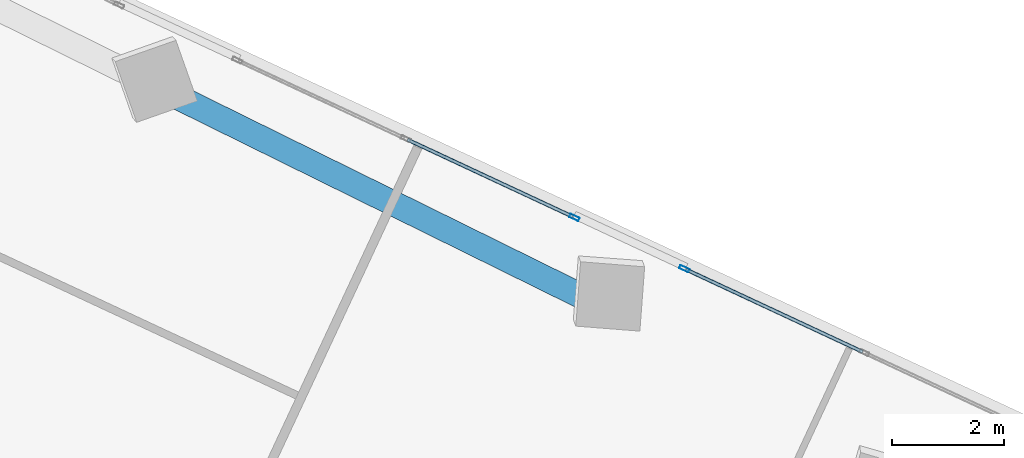
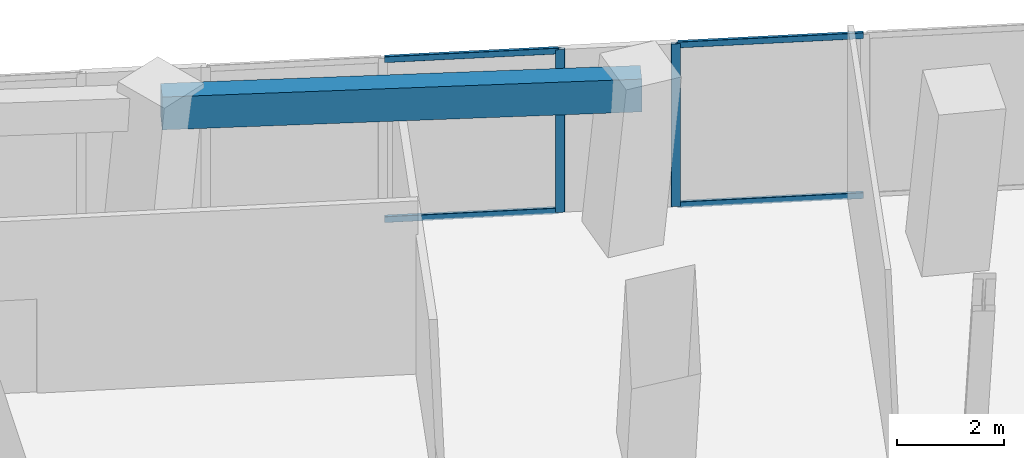
# One storey, part 9 of 23: 6 members, 1 beam, 2 elements without a shape of their own.
"""IFC4 building model written with IfcOpenShell, lengths in metres."""

from ifc_helpers import new_model, si_unit, direction, frame, origin, origin_2d, place, context, subcontext, project, spatial, rectangle, hollow_rectangle, extrude, source, transform, mapped, material, material_profile, profile_set, type_object, element, aggregate, save


model = new_model("IFC4")

# Units and contexts
model_context = context("Model", 3, precision=1e-05, world=origin(), true_north=direction((0.0, 1.0)))
body_context = subcontext(model_context, "Body", "Model", "MODEL_VIEW")
ifc_project = project(units=[si_unit("LENGTHUNIT", "METRE"), si_unit("AREAUNIT", "SQUARE_METRE"), si_unit("VOLUMEUNIT", "CUBIC_METRE"), si_unit("PLANEANGLEUNIT", "RADIAN"), si_unit("MASSUNIT", "GRAM", prefix="KILO")], contexts=[model_context])

# Site, building, storey
site_placement = place(None, origin())
site = spatial("IfcSite", under=ifc_project, at=site_placement, CompositionType="ELEMENT")
building_placement = place(site_placement, origin())
building = spatial("IfcBuilding", under=site, at=building_placement, Name="Torre Montelarca", CompositionType="ELEMENT")
storey_placement = place(building_placement, frame((0.0, 0.0, 158.199951171875)))
storey = spatial("IfcBuildingStorey", under=building, at=storey_placement, Name="L35", CompositionType="ELEMENT", Elevation=158.199951171875)

# Beam
ifc_material_1 = material(Name="Concrete C55/67", Category="concrete")
ifc_material_profile_1 = material_profile(ifc_material_1, rectangle(XDim=0.449951171875, YDim=0.75, at=origin_2d()), Name="RCB450X750", Category="concrete")
ifc_profile_set_1 = profile_set([ifc_material_profile_1], Name="Concrete C55/67")
beam_type = type_object("IfcBeamType", Name="BM-SP-RC750-EXT", PredefinedType="SPANDREL", material=ifc_profile_set_1)
shared_shape_1 = source(origin(), body_context, "Body", "SweptSolid", [
    extrude(rectangle(XDim=0.449951171875, YDim=0.75, at=origin_2d()), origin(), (0.0, 0.0, 1.0), 9.0),
])
beam_placement = place(storey_placement, frame((33.133544921875, 43.155029296875, 3.5849609375), z_axis=(0.896866006126, -0.44230234801, 0.0), x_axis=(0.44230234801, 0.896866006126, 0.0)))
element("IfcBeam", 1, at=beam_placement, inside=storey, type_object=beam_type, Name="L35 Grid Girder X 27.0-36.0 at Y=47.1", PredefinedType="SPANDREL", context=body_context, shape_type="MappedRepresentation", body=[
    mapped(shared_shape_1, transform((0.0, 0.0, 0.0), scale=1.0)),
])

# Curtain wall, member
ifc_material_2 = material(Name="Insulated low-E laminated glass", Category="glass")
curtain_wall_type = type_object("IfcCurtainWallType", Name="CW-SYS-Z2", PredefinedType="USERDEFINED", material=ifc_material_2)
curtain_wall_1_placement = place(storey_placement, origin())
curtain_wall_1 = element("IfcCurtainWall", 2, at=curtain_wall_1_placement, inside=storey, type_object=curtain_wall_type, Name="L35 Curtain Wall Run CW-T3-L35-E08-B1", ObjectType="UNITISED GLAZING", PredefinedType="USERDEFINED")
ifc_material_3 = material(Name="Anodised aluminium AA 6063-T6", Category="aluminium")
ifc_material_profile_2 = material_profile(ifc_material_3, hollow_rectangle(XDim=0.06494140625, YDim=0.179931640625, WallThickness=0.00390625, InnerFilletRadius=0.00390625, OuterFilletRadius=0.008056640625, at=origin_2d()), Name="ALU65X180X4", Category="aluminium")
ifc_profile_set_2 = profile_set([ifc_material_profile_2], Name="Anodised aluminium AA 6063-T6")
member_type_1 = type_object("IfcMemberType", Name="CWM-ALU180", PredefinedType="MULLION", material=ifc_profile_set_2)
shared_shape_2 = source(origin(), body_context, "Body", "SweptSolid", [
    extrude(hollow_rectangle(XDim=0.06494140625, YDim=0.179931640625, WallThickness=0.00390625, InnerFilletRadius=0.00390625, OuterFilletRadius=0.008056640625, at=origin_2d()), origin(), (0.0, 0.0, 1.0), 3.719970703125),
])
member_1_placement = place(storey_placement, frame((42.41845703125, 39.976806640625, 0.0), z_axis=(0.0, 0.0, 1.0), x_axis=(-0.422609405176, -0.906311916868, 0.0)))
member_1 = element("IfcMember", 3, at=member_1_placement, type_object=member_type_1, Name="CW mullion 3", PredefinedType="MULLION", context=body_context, shape_type="MappedRepresentation", body=[
    mapped(shared_shape_2, transform((0.0, 0.0, 0.0), scale=1.0)),
])

curtain_wall_2_placement = place(storey_placement, origin())
curtain_wall_2 = element("IfcCurtainWall", 4, at=curtain_wall_2_placement, inside=storey, type_object=curtain_wall_type, Name="L35 Curtain Wall Run CW-T3-L35-E08-B2", ObjectType="UNITISED GLAZING", PredefinedType="USERDEFINED")
member_2_placement = place(storey_placement, frame((40.447265625, 40.89599609375, 0.0), z_axis=(0.0, 0.0, 1.0), x_axis=(-0.422607871972, -0.906312631793, 0.0)))
member_2 = element("IfcMember", 5, at=member_2_placement, type_object=member_type_1, Name="CW mullion 1", PredefinedType="MULLION", context=body_context, shape_type="MappedRepresentation", body=[
    mapped(shared_shape_2, transform((0.0, 0.0, 0.0), scale=1.0)),
])

# Member
ifc_material_profile_3 = material_profile(ifc_material_3, hollow_rectangle(XDim=0.06494140625, YDim=0.139892578125, WallThickness=0.00390625, InnerFilletRadius=0.00390625, OuterFilletRadius=0.008056640625, at=origin_2d()), Name="ALU65X140X4", Category="aluminium")
ifc_profile_set_3 = profile_set([ifc_material_profile_3], Name="Anodised aluminium AA 6063-T6")
member_type_2 = type_object("IfcMemberType", Name="CWT-ALU140", PredefinedType="USERDEFINED", material=ifc_profile_set_3)
shared_shape_3 = source(origin(), body_context, "Body", "SweptSolid", [
    extrude(hollow_rectangle(XDim=0.06494140625, YDim=0.139892578125, WallThickness=0.00390625, InnerFilletRadius=0.00390625, OuterFilletRadius=0.008056640625, at=origin_2d()), origin(), (0.0, 0.0, 1.0), 3.4921875),
])
member_3_placement = place(storey_placement, frame((45.613037109375, 38.4873046875, 0.032470703125), z_axis=(-0.906313476559, 0.422606060306, 0.0), x_axis=(-0.422606060306, -0.906313476559, 0.0)))
member_3 = element("IfcMember", 6, at=member_3_placement, type_object=member_type_2, Name="CW transom 2.1", ObjectType="TRANSOM", PredefinedType="USERDEFINED", context=body_context, shape_type="MappedRepresentation", body=[
    mapped(shared_shape_3, transform((0.0, 0.0, 0.0), scale=1.0)),
])

member_4_placement = place(storey_placement, frame((45.613037109375, 38.4873046875, 3.6875), z_axis=(-0.906313476559, 0.422606060306, 0.0), x_axis=(-0.422606060306, -0.906313476559, 0.0)))
member_4 = element("IfcMember", 7, at=member_4_placement, type_object=member_type_2, Name="CW transom 2.2", ObjectType="TRANSOM", PredefinedType="USERDEFINED", context=body_context, shape_type="MappedRepresentation", body=[
    mapped(shared_shape_3, transform((0.0, 0.0, 0.0), scale=1.0)),
])

aggregate(curtain_wall_1, [member_1, member_3, member_4])

shared_shape_4 = source(origin(), body_context, "Body", "SweptSolid", [
    extrude(hollow_rectangle(XDim=0.06494140625, YDim=0.139892578125, WallThickness=0.00390625, InnerFilletRadius=0.00390625, OuterFilletRadius=0.008056640625, at=origin_2d()), origin(), (0.0, 0.0, 1.0), 3.265380859375),
])
member_5_placement = place(storey_placement, frame((40.41796875, 40.90966796875, 0.032470703125), z_axis=(-0.906324437031, 0.422582553877, 0.0), x_axis=(-0.422582553877, -0.906324437031, 0.0)))
member_5 = element("IfcMember", 8, at=member_5_placement, type_object=member_type_2, Name="CW transom 1.1", ObjectType="TRANSOM", PredefinedType="USERDEFINED", context=body_context, shape_type="MappedRepresentation", body=[
    mapped(shared_shape_4, transform((0.0, 0.0, 0.0), scale=1.0)),
])

member_6_placement = place(storey_placement, frame((40.41796875, 40.90966796875, 3.6875), z_axis=(-0.906324437031, 0.422582553877, 0.0), x_axis=(-0.422582553877, -0.906324437031, 0.0)))
member_6 = element("IfcMember", 9, at=member_6_placement, type_object=member_type_2, Name="CW transom 1.2", ObjectType="TRANSOM", PredefinedType="USERDEFINED", context=body_context, shape_type="MappedRepresentation", body=[
    mapped(shared_shape_4, transform((0.0, 0.0, 0.0), scale=1.0)),
])

aggregate(curtain_wall_2, [member_2, member_5, member_6])

save(model, "model.ifc")
